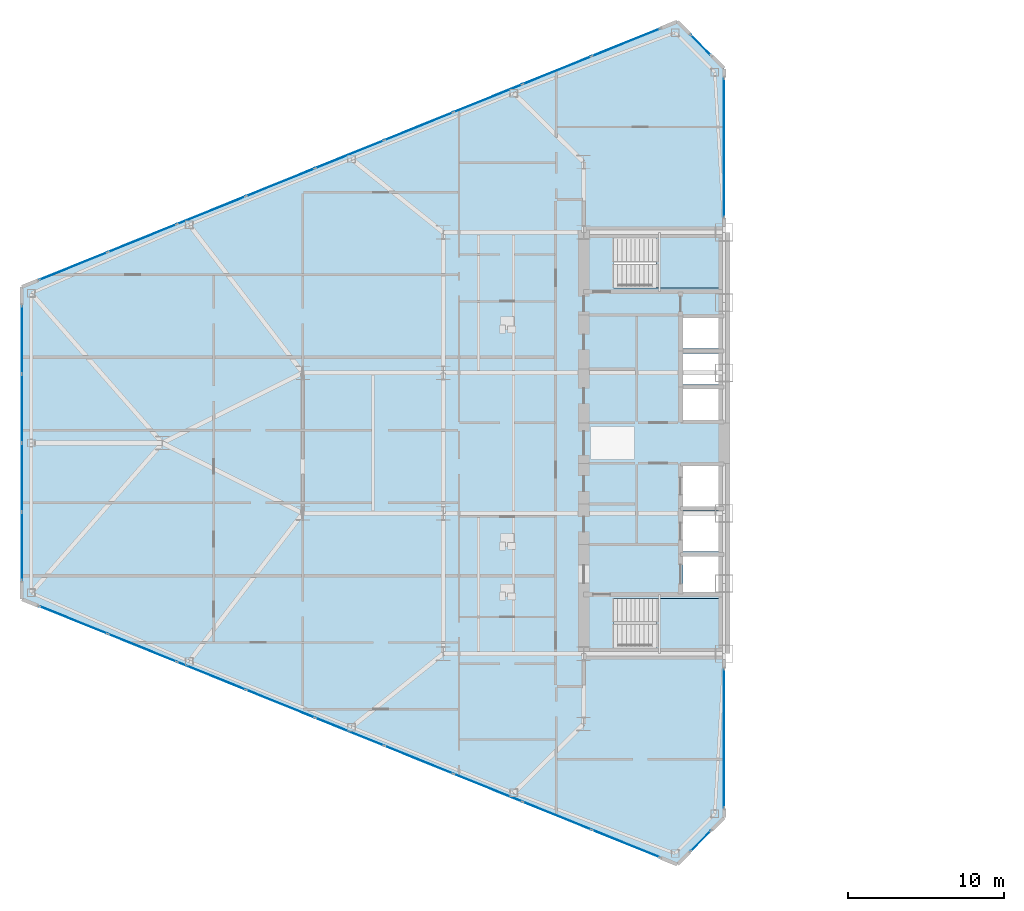
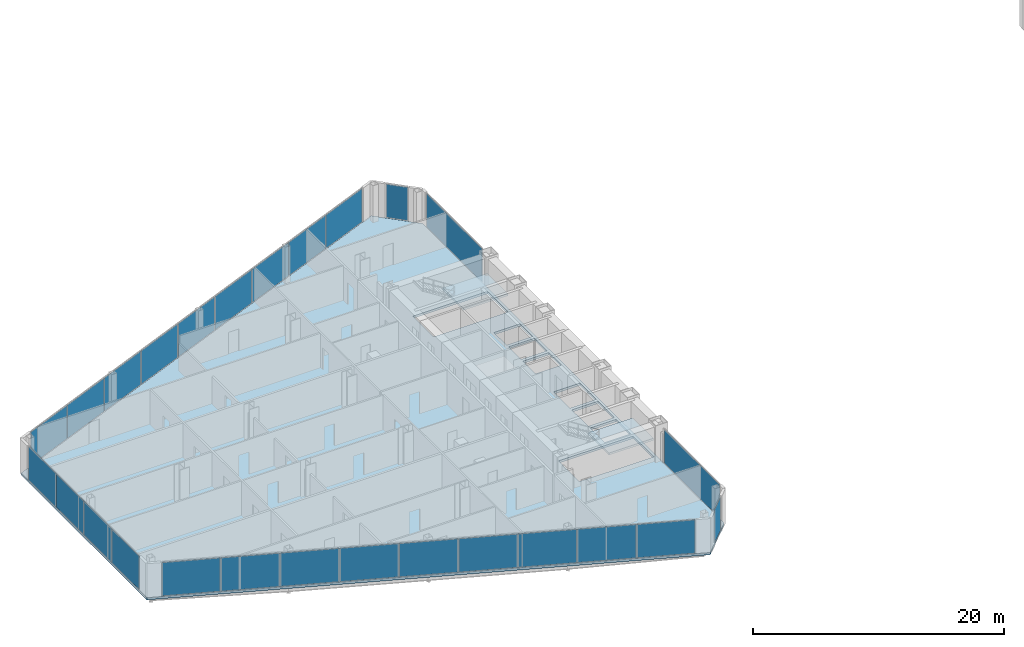
# One storey, part 15 of 25: 26 plates, 3 slabs, 9 elements without a shape of their own.
"""IFC4 building model written with IfcOpenShell, lengths in metres."""

from ifc_helpers import new_model, si_unit, direction, frame, origin, origin_2d, place, context, subcontext, project, spatial, polyline, rectangle, outline, extrude, source, transform, mapped, material, layer, layer_set, type_object, type_shapes, element, aggregate, save


model = new_model("IFC4")

# Units and contexts
model_context = context("Model", 3, precision=1e-05, world=origin(), true_north=direction((0.0, 1.0)))
body_context = subcontext(model_context, "Body", "Model", "MODEL_VIEW")
ifc_project = project(units=[si_unit("LENGTHUNIT", "METRE"), si_unit("AREAUNIT", "SQUARE_METRE"), si_unit("VOLUMEUNIT", "CUBIC_METRE"), si_unit("PLANEANGLEUNIT", "RADIAN"), si_unit("MASSUNIT", "GRAM", prefix="KILO")], contexts=[model_context])

# Site, building, storey
site_placement = place(None, origin())
site = spatial("IfcSite", under=ifc_project, at=site_placement, CompositionType="ELEMENT")
building_placement = place(site_placement, origin())
building = spatial("IfcBuilding", under=site, at=building_placement, Name="Seokmaru Belvedere", CompositionType="ELEMENT")
storey_placement = place(building_placement, frame((0.0, 0.0, 51.300048828125)))
storey = spatial("IfcBuildingStorey", under=building, at=storey_placement, Name="L13", CompositionType="ELEMENT", Elevation=51.300048828125)

# Stair, slab
ifc_material_1 = material(Name="Concrete C40 (40 MPa)", Category="concrete")
stair_type = type_object("IfcStairType", Name="Typical Tower Core Dog-Leg Stair 3600", PredefinedType="TWO_STRAIGHT_RUN_STAIR", material=ifc_material_1)
stair_1_placement = place(storey_placement, origin())
stair_1 = element("IfcStair", 1, at=stair_1_placement, inside=storey, type_object=stair_type, Name="L13 Special Escape Stair ST-W1", PredefinedType="TWO_STRAIGHT_RUN_STAIR")
ifc_layer_1 = layer(ifc_material_1, 0.199951171875)
ifc_layer_set_1 = layer_set([ifc_layer_1], Name="Concrete C40 (40 MPa)")
slab_type_1 = type_object("IfcSlabType", Name="Reinforced Concrete Stair Landing Slab 200", PredefinedType="LANDING", material=ifc_layer_set_1)
slab_1_placement = place(storey_placement, frame((0.0, 0.0, 1.599853515625)))
slab_1 = element("IfcSlab", 2, at=slab_1_placement, type_object=slab_type_1, Name="ST-W1 landing 1", PredefinedType="LANDING", context=body_context, shape_type="SweptSolid", body=[
    extrude(outline(polyline([(-31.8798828125, -13.239990234375), (-27.760009765625, -13.239990234375), (-27.760009765625, -9.949951171875), (-31.8798828125, -9.949951171875), (-31.8798828125, -13.239990234375)])), origin(), (0.0, 0.0, 1.0), 0.2001953125),
])
aggregate(stair_1, [slab_1])

stair_2_placement = place(storey_placement, origin())
stair_2 = element("IfcStair", 3, at=stair_2_placement, inside=storey, type_object=stair_type, Name="L13 Special Escape Stair ST-W2", PredefinedType="TWO_STRAIGHT_RUN_STAIR")
slab_2_placement = place(storey_placement, frame((0.0, 0.0, 1.599853515625)))
slab_2 = element("IfcSlab", 4, at=slab_2_placement, type_object=slab_type_1, Name="ST-W2 landing 1", PredefinedType="LANDING", context=body_context, shape_type="SweptSolid", body=[
    extrude(outline(polyline([(-31.8798828125, 9.949951171875), (-27.760009765625, 9.949951171875), (-27.760009765625, 13.239990234375), (-31.8798828125, 13.239990234375), (-31.8798828125, 9.949951171875)])), origin(), (0.0, 0.0, 1.0), 0.2001953125),
])
aggregate(stair_2, [slab_2])

# Slab
ifc_layer_2 = layer(ifc_material_1, 0.219970703125)
ifc_layer_set_2 = layer_set([ifc_layer_2], Name="Concrete C40 (40 MPa)")
slab_type_2 = type_object("IfcSlabType", Name="Typical Tower Composite Floor Slab 220", PredefinedType="FLOOR", material=ifc_layer_set_2)
slab_3_placement = place(storey_placement, frame((0.0, 0.0, -0.219970703125)))
element("IfcSlab", 5, at=slab_3_placement, inside=storey, type_object=slab_type_2, Name="L13 West Leg Floor Slab", PredefinedType="FLOOR", context=body_context, shape_type="SweptSolid", body=[
    extrude(outline(polyline([(-27.5, -24.0), (-27.5, 24.0), (-30.5, 27.0), (-72.5, 10.0), (-72.5, -10.0), (-30.5, -27.0), (-27.5, -24.0)]), holes=[polyline([(-34.60009765625, -13.25), (-27.75, -13.25), (-27.75, -9.949951171875), (-34.60009765625, -9.949951171875), (-34.60009765625, -13.25)]), polyline([(-34.60009765625, 9.949951171875), (-27.75, 9.949951171875), (-27.75, 13.25), (-34.60009765625, 13.25), (-34.60009765625, 9.949951171875)]), polyline([(-30.14990234375, -9.550048828125), (-27.75, -9.550048828125), (-27.75, -7.25), (-30.14990234375, -7.25), (-30.14990234375, -9.550048828125)]), polyline([(-30.14990234375, -6.949951171875), (-27.75, -6.949951171875), (-27.75, -4.35009765625), (-30.14990234375, -4.35009765625), (-30.14990234375, -6.949951171875)]), polyline([(-30.14990234375, -4.050048828125), (-27.75, -4.050048828125), (-27.75, -1.449951171875), (-30.14990234375, -1.449951171875), (-30.14990234375, -4.050048828125)]), polyline([(-30.14990234375, 1.449951171875), (-27.75, 1.449951171875), (-27.75, 3.449951171875), (-30.14990234375, 3.449951171875), (-30.14990234375, 1.449951171875)]), polyline([(-30.14990234375, 3.75), (-27.75, 3.75), (-27.75, 5.75), (-30.14990234375, 5.75), (-30.14990234375, 3.75)]), polyline([(-30.14990234375, 6.050048828125), (-27.75, 6.050048828125), (-27.75, 8.050048828125), (-30.14990234375, 8.050048828125), (-30.14990234375, 6.050048828125)])]), origin(), (0.0, 0.0, 1.0), 0.219970703125),
])

# Curtain wall, plate
ifc_material_2 = material(Name="Bronze Triple Insulating Glass", Category="glass")
ifc_layer_3 = layer(ifc_material_2, 0.2099609375)
ifc_layer_set_3 = layer_set([ifc_layer_3], Name="Bronze Triple Insulating Glass")
curtain_wall_type = type_object("IfcCurtainWallType", Name="Low-Rise Faceted Crystal Curtain Wall System CW-2", PredefinedType="NOTDEFINED", material=ifc_layer_set_3)
curtain_wall_1_placement = place(storey_placement, origin())
curtain_wall_1 = element("IfcCurtainWall", 6, at=curtain_wall_1_placement, inside=storey, type_object=curtain_wall_type, Name="L13 Curtain Wall WSP_1", PredefinedType="NOTDEFINED")
ifc_layer_4 = layer(ifc_material_2, 0.035888671875)
ifc_layer_set_4 = layer_set([ifc_layer_4], Name="Bronze Triple Insulating Glass")
plate_type = type_object("IfcPlateType", Name="Bronze Triple Vision Glazing Panel 36", PredefinedType="CURTAIN_PANEL", material=ifc_layer_set_4)
shared_shape_1 = source(origin(), body_context, "Body", "SweptSolid", [
    extrude(rectangle(XDim=8.85009765625, YDim=0.035888671875, at=origin_2d()), origin(), (0.0, 0.0, 1.0), 3.239990234375),
])
plate_1_placement = place(storey_placement, frame((-27.5, -18.929931640625, 0.06982421875), z_axis=(0.0, 0.0, 1.0), x_axis=(0.0, 1.0, 0.0)))
plate_1 = element("IfcPlate", 7, at=plate_1_placement, type_object=plate_type, Name="CW:L13:WSP_1 Glazing Panel 1-1", PredefinedType="CURTAIN_PANEL", context=body_context, shape_type="MappedRepresentation", body=[
    mapped(shared_shape_1, transform((0.0, 0.0, 0.0), scale=1.0)),
])
aggregate(curtain_wall_1, [plate_1])

curtain_wall_2_placement = place(storey_placement, origin())
curtain_wall_2 = element("IfcCurtainWall", 8, at=curtain_wall_2_placement, inside=storey, type_object=curtain_wall_type, Name="L13 Curtain Wall WSP_2", PredefinedType="NOTDEFINED")
plate_2_placement = place(storey_placement, frame((-27.5, 18.929931640625, 0.06982421875), z_axis=(0.0, 0.0, 1.0), x_axis=(0.0, 1.0, 0.0)))
plate_2 = element("IfcPlate", 9, at=plate_2_placement, type_object=plate_type, Name="CW:L13:WSP_2 Glazing Panel 1-1", PredefinedType="CURTAIN_PANEL", context=body_context, shape_type="MappedRepresentation", body=[
    mapped(shared_shape_1, transform((0.0, 0.0, 0.0), scale=1.0)),
])
aggregate(curtain_wall_2, [plate_2])

curtain_wall_3_placement = place(storey_placement, origin())
curtain_wall_3 = element("IfcCurtainWall", 10, at=curtain_wall_3_placement, inside=storey, type_object=curtain_wall_type, Name="L13 Curtain Wall WF2", PredefinedType="NOTDEFINED")
shared_shape_2 = source(origin(), body_context, "Body", "SweptSolid", [
    extrude(rectangle(XDim=1.79248046875, YDim=0.035888671875, at=origin_2d()), origin(), (0.0, 0.0, 1.0), 3.239990234375),
])
plate_3_placement = place(storey_placement, frame((-29.0, 25.5, 0.06982421875), z_axis=(0.0, 0.0, 1.0), x_axis=(-0.707106781187, 0.707106781187, 0.0)))
plate_3 = element("IfcPlate", 11, at=plate_3_placement, type_object=plate_type, Name="CW:L13:WF2 Glazing Panel 1-1", PredefinedType="CURTAIN_PANEL", context=body_context, shape_type="MappedRepresentation", body=[
    mapped(shared_shape_2, transform((0.0, 0.0, 0.0), scale=1.0)),
])
aggregate(curtain_wall_3, [plate_3])

curtain_wall_4_placement = place(storey_placement, origin())
curtain_wall_4 = element("IfcCurtainWall", 12, at=curtain_wall_4_placement, inside=storey, type_object=curtain_wall_type, Name="L13 Curtain Wall WF6", PredefinedType="NOTDEFINED")
plate_4_placement = place(storey_placement, frame((-29.0, -25.5, 0.06982421875), z_axis=(0.0, 0.0, 1.0), x_axis=(0.707106781187, 0.707106781187, 0.0)))
plate_4 = element("IfcPlate", 13, at=plate_4_placement, type_object=plate_type, Name="CW:L13:WF6 Glazing Panel 1-1", PredefinedType="CURTAIN_PANEL", context=body_context, shape_type="MappedRepresentation", body=[
    mapped(shared_shape_2, transform((0.0, 0.0, 0.0), scale=1.0)),
])
aggregate(curtain_wall_4, [plate_4])

# Curtain wall, plates
curtain_wall_5_placement = place(storey_placement, origin())
curtain_wall_5 = element("IfcCurtainWall", 14, at=curtain_wall_5_placement, inside=storey, type_object=curtain_wall_type, Name="L13 Curtain Wall WF3", PredefinedType="NOTDEFINED")
shared_shape_3 = source(origin(), body_context, "Body", "SweptSolid", [
    extrude(rectangle(XDim=4.66650390625, YDim=0.035888671875, at=origin_2d()), origin(), (0.0, 0.0, 1.0), 3.239990234375),
])
plate_5_placement = place(storey_placement, frame((-33.79833984375, 25.6650390625, 0.06982421875), z_axis=(0.0, 0.0, 1.0), x_axis=(-0.926946989637, -0.375192321888, 0.0)))
plate_5 = element("IfcPlate", 15, at=plate_5_placement, type_object=plate_type, Name="CW:L13:WF3 Glazing Panel 1-1", PredefinedType="CURTAIN_PANEL", context=body_context, shape_type="MappedRepresentation", body=[
    mapped(shared_shape_3, transform((0.0, 0.0, 0.0), scale=1.0)),
])
plate_6_placement = place(storey_placement, frame((-69.20166015625, 11.3349609375, 0.06982421875), z_axis=(0.0, 0.0, 1.0), x_axis=(-0.926946989637, -0.375192321888, 0.0)))
plate_6 = element("IfcPlate", 16, at=plate_6_placement, type_object=plate_type, Name="CW:L13:WF3 Glazing Panel 9-1", PredefinedType="CURTAIN_PANEL", context=body_context, shape_type="MappedRepresentation", body=[
    mapped(shared_shape_3, transform((0.0, 0.0, 0.0), scale=1.0)),
])

curtain_wall_6_placement = place(storey_placement, origin())
curtain_wall_6 = element("IfcCurtainWall", 17, at=curtain_wall_6_placement, inside=storey, type_object=curtain_wall_type, Name="L13 Curtain Wall WF5", PredefinedType="NOTDEFINED")
plate_7_placement = place(storey_placement, frame((-69.20166015625, -11.3349609375, 0.06982421875), z_axis=(0.0, 0.0, 1.0), x_axis=(0.926946989637, -0.375192321888, 0.0)))
plate_7 = element("IfcPlate", 18, at=plate_7_placement, type_object=plate_type, Name="CW:L13:WF5 Glazing Panel 1-1", PredefinedType="CURTAIN_PANEL", context=body_context, shape_type="MappedRepresentation", body=[
    mapped(shared_shape_3, transform((0.0, 0.0, 0.0), scale=1.0)),
])
plate_8_placement = place(storey_placement, frame((-33.79833984375, -25.6650390625, 0.06982421875), z_axis=(0.0, 0.0, 1.0), x_axis=(0.926946989637, -0.375192321888, 0.0)))
plate_8 = element("IfcPlate", 19, at=plate_8_placement, type_object=plate_type, Name="CW:L13:WF5 Glazing Panel 9-1", PredefinedType="CURTAIN_PANEL", context=body_context, shape_type="MappedRepresentation", body=[
    mapped(shared_shape_3, transform((0.0, 0.0, 0.0), scale=1.0)),
])

# Plate
shared_shape_4 = source(origin(), body_context, "Body", "SweptSolid", [
    extrude(rectangle(XDim=4.703857421875, YDim=0.035888671875, at=origin_2d()), origin(), (0.0, 0.0, 1.0), 3.239990234375),
])
plate_9_placement = place(storey_placement, frame((-38.210693359375, 23.87890625, 0.06982421875), z_axis=(0.0, 0.0, 1.0), x_axis=(-0.926946989637, -0.375192321888, 0.0)))
plate_9 = element("IfcPlate", 20, at=plate_9_placement, type_object=plate_type, Name="CW:L13:WF3 Glazing Panel 2-1", PredefinedType="CURTAIN_PANEL", context=body_context, shape_type="MappedRepresentation", body=[
    mapped(shared_shape_4, transform((0.0, 0.0, 0.0), scale=1.0)),
])

plate_10_placement = place(storey_placement, frame((-42.640380859375, 22.0859375, 0.06982421875), z_axis=(0.0, 0.0, 1.0), x_axis=(-0.926946989637, -0.375192321888, 0.0)))
plate_10 = element("IfcPlate", 21, at=plate_10_placement, type_object=plate_type, Name="CW:L13:WF3 Glazing Panel 3-1", PredefinedType="CURTAIN_PANEL", context=body_context, shape_type="MappedRepresentation", body=[
    mapped(shared_shape_4, transform((0.0, 0.0, 0.0), scale=1.0)),
])

plate_11_placement = place(storey_placement, frame((-47.0703125, 20.29296875, 0.06982421875), z_axis=(0.0, 0.0, 1.0), x_axis=(-0.926946989637, -0.375192321888, 0.0)))
plate_11 = element("IfcPlate", 22, at=plate_11_placement, type_object=plate_type, Name="CW:L13:WF3 Glazing Panel 4-1", PredefinedType="CURTAIN_PANEL", context=body_context, shape_type="MappedRepresentation", body=[
    mapped(shared_shape_4, transform((0.0, 0.0, 0.0), scale=1.0)),
])

plate_12_placement = place(storey_placement, frame((-51.5, 18.5, 0.06982421875), z_axis=(0.0, 0.0, 1.0), x_axis=(-0.926946989637, -0.375192321888, 0.0)))
plate_12 = element("IfcPlate", 23, at=plate_12_placement, type_object=plate_type, Name="CW:L13:WF3 Glazing Panel 5-1", PredefinedType="CURTAIN_PANEL", context=body_context, shape_type="MappedRepresentation", body=[
    mapped(shared_shape_4, transform((0.0, 0.0, 0.0), scale=1.0)),
])

plate_13_placement = place(storey_placement, frame((-55.9296875, 16.70703125, 0.06982421875), z_axis=(0.0, 0.0, 1.0), x_axis=(-0.926946989637, -0.375192321888, 0.0)))
plate_13 = element("IfcPlate", 24, at=plate_13_placement, type_object=plate_type, Name="CW:L13:WF3 Glazing Panel 6-1", PredefinedType="CURTAIN_PANEL", context=body_context, shape_type="MappedRepresentation", body=[
    mapped(shared_shape_4, transform((0.0, 0.0, 0.0), scale=1.0)),
])

plate_14_placement = place(storey_placement, frame((-60.359619140625, 14.9140625, 0.06982421875), z_axis=(0.0, 0.0, 1.0), x_axis=(-0.926946989637, -0.375192321888, 0.0)))
plate_14 = element("IfcPlate", 25, at=plate_14_placement, type_object=plate_type, Name="CW:L13:WF3 Glazing Panel 7-1", PredefinedType="CURTAIN_PANEL", context=body_context, shape_type="MappedRepresentation", body=[
    mapped(shared_shape_4, transform((0.0, 0.0, 0.0), scale=1.0)),
])

plate_15_placement = place(storey_placement, frame((-64.789306640625, 13.12109375, 0.06982421875), z_axis=(0.0, 0.0, 1.0), x_axis=(-0.926946989637, -0.375192321888, 0.0)))
plate_15 = element("IfcPlate", 26, at=plate_15_placement, type_object=plate_type, Name="CW:L13:WF3 Glazing Panel 8-1", PredefinedType="CURTAIN_PANEL", context=body_context, shape_type="MappedRepresentation", body=[
    mapped(shared_shape_4, transform((0.0, 0.0, 0.0), scale=1.0)),
])

aggregate(curtain_wall_5, [plate_5, plate_9, plate_10, plate_11, plate_12, plate_13, plate_14, plate_15, plate_6])

plate_16_placement = place(storey_placement, frame((-64.789306640625, -13.12109375, 0.06982421875), z_axis=(0.0, 0.0, 1.0), x_axis=(0.926946989637, -0.375192321888, 0.0)))
plate_16 = element("IfcPlate", 27, at=plate_16_placement, type_object=plate_type, Name="CW:L13:WF5 Glazing Panel 2-1", PredefinedType="CURTAIN_PANEL", context=body_context, shape_type="MappedRepresentation", body=[
    mapped(shared_shape_4, transform((0.0, 0.0, 0.0), scale=1.0)),
])

plate_17_placement = place(storey_placement, frame((-60.359619140625, -14.9140625, 0.06982421875), z_axis=(0.0, 0.0, 1.0), x_axis=(0.926946989637, -0.375192321888, 0.0)))
plate_17 = element("IfcPlate", 28, at=plate_17_placement, type_object=plate_type, Name="CW:L13:WF5 Glazing Panel 3-1", PredefinedType="CURTAIN_PANEL", context=body_context, shape_type="MappedRepresentation", body=[
    mapped(shared_shape_4, transform((0.0, 0.0, 0.0), scale=1.0)),
])

plate_18_placement = place(storey_placement, frame((-55.9296875, -16.70703125, 0.06982421875), z_axis=(0.0, 0.0, 1.0), x_axis=(0.926946989637, -0.375192321888, 0.0)))
plate_18 = element("IfcPlate", 29, at=plate_18_placement, type_object=plate_type, Name="CW:L13:WF5 Glazing Panel 4-1", PredefinedType="CURTAIN_PANEL", context=body_context, shape_type="MappedRepresentation", body=[
    mapped(shared_shape_4, transform((0.0, 0.0, 0.0), scale=1.0)),
])

plate_19_placement = place(storey_placement, frame((-51.5, -18.5, 0.06982421875), z_axis=(0.0, 0.0, 1.0), x_axis=(0.926946989637, -0.375192321888, 0.0)))
plate_19 = element("IfcPlate", 30, at=plate_19_placement, type_object=plate_type, Name="CW:L13:WF5 Glazing Panel 5-1", PredefinedType="CURTAIN_PANEL", context=body_context, shape_type="MappedRepresentation", body=[
    mapped(shared_shape_4, transform((0.0, 0.0, 0.0), scale=1.0)),
])

plate_20_placement = place(storey_placement, frame((-47.0703125, -20.29296875, 0.06982421875), z_axis=(0.0, 0.0, 1.0), x_axis=(0.926946989637, -0.375192321888, 0.0)))
plate_20 = element("IfcPlate", 31, at=plate_20_placement, type_object=plate_type, Name="CW:L13:WF5 Glazing Panel 6-1", PredefinedType="CURTAIN_PANEL", context=body_context, shape_type="MappedRepresentation", body=[
    mapped(shared_shape_4, transform((0.0, 0.0, 0.0), scale=1.0)),
])

plate_21_placement = place(storey_placement, frame((-42.640380859375, -22.0859375, 0.06982421875), z_axis=(0.0, 0.0, 1.0), x_axis=(0.926946989637, -0.375192321888, 0.0)))
plate_21 = element("IfcPlate", 32, at=plate_21_placement, type_object=plate_type, Name="CW:L13:WF5 Glazing Panel 7-1", PredefinedType="CURTAIN_PANEL", context=body_context, shape_type="MappedRepresentation", body=[
    mapped(shared_shape_4, transform((0.0, 0.0, 0.0), scale=1.0)),
])

plate_22_placement = place(storey_placement, frame((-38.210693359375, -23.87890625, 0.06982421875), z_axis=(0.0, 0.0, 1.0), x_axis=(0.926946989637, -0.375192321888, 0.0)))
plate_22 = element("IfcPlate", 33, at=plate_22_placement, type_object=plate_type, Name="CW:L13:WF5 Glazing Panel 8-1", PredefinedType="CURTAIN_PANEL", context=body_context, shape_type="MappedRepresentation", body=[
    mapped(shared_shape_4, transform((0.0, 0.0, 0.0), scale=1.0)),
])

aggregate(curtain_wall_6, [plate_7, plate_16, plate_17, plate_18, plate_19, plate_20, plate_21, plate_22, plate_8])

# Curtain wall, plates
curtain_wall_7_placement = place(storey_placement, origin())
curtain_wall_7 = element("IfcCurtainWall", 34, at=curtain_wall_7_placement, inside=storey, type_object=curtain_wall_type, Name="L13 Curtain Wall WF4", PredefinedType="NOTDEFINED")
shared_shape_5 = source(origin(), body_context, "Body", "SweptSolid", [
    extrude(rectangle(XDim=4.3125, YDim=0.035888671875, at=origin_2d()), origin(), (0.0, 0.0, 1.0), 3.239990234375),
])
plate_23_placement = place(storey_placement, frame((-72.5, 6.61865234375, 0.06982421875), z_axis=(0.0, 0.0, 1.0), x_axis=(0.0, -1.0, 0.0)))
plate_23 = element("IfcPlate", 35, at=plate_23_placement, type_object=plate_type, Name="CW:L13:WF4 Glazing Panel 1-1", PredefinedType="CURTAIN_PANEL", context=body_context, shape_type="MappedRepresentation", body=[
    mapped(shared_shape_5, transform((0.0, 0.0, 0.0), scale=1.0)),
])
plate_24_placement = place(storey_placement, frame((-72.5, -6.61865234375, 0.06982421875), z_axis=(0.0, 0.0, 1.0), x_axis=(0.0, -1.0, 0.0)))
plate_24 = element("IfcPlate", 36, at=plate_24_placement, type_object=plate_type, Name="CW:L13:WF4 Glazing Panel 4-1", PredefinedType="CURTAIN_PANEL", context=body_context, shape_type="MappedRepresentation", body=[
    mapped(shared_shape_5, transform((0.0, 0.0, 0.0), scale=1.0)),
])
shared_shape_6 = source(origin(), body_context, "Body", "SweptSolid", [
    extrude(rectangle(XDim=4.35009765625, YDim=0.035888671875, at=origin_2d()), origin(), (0.0, 0.0, 1.0), 3.239990234375),
])
type_shapes(plate_type, [shared_shape_1, shared_shape_2, shared_shape_3, shared_shape_4, shared_shape_5, shared_shape_6])
plate_25_placement = place(storey_placement, frame((-72.5, 2.21240234375, 0.06982421875), z_axis=(0.0, 0.0, 1.0), x_axis=(0.0, -1.0, 0.0)))
plate_25 = element("IfcPlate", 37, at=plate_25_placement, type_object=plate_type, Name="CW:L13:WF4 Glazing Panel 2-1", PredefinedType="CURTAIN_PANEL", context=body_context, shape_type="MappedRepresentation", body=[
    mapped(shared_shape_6, transform((0.0, 0.0, 0.0), scale=1.0)),
])
plate_26_placement = place(storey_placement, frame((-72.5, -2.21240234375, 0.06982421875), z_axis=(0.0, 0.0, 1.0), x_axis=(0.0, -1.0, 0.0)))
plate_26 = element("IfcPlate", 38, at=plate_26_placement, type_object=plate_type, Name="CW:L13:WF4 Glazing Panel 3-1", PredefinedType="CURTAIN_PANEL", context=body_context, shape_type="MappedRepresentation", body=[
    mapped(shared_shape_6, transform((0.0, 0.0, 0.0), scale=1.0)),
])
aggregate(curtain_wall_7, [plate_23, plate_25, plate_26, plate_24])

save(model, "model.ifc")
